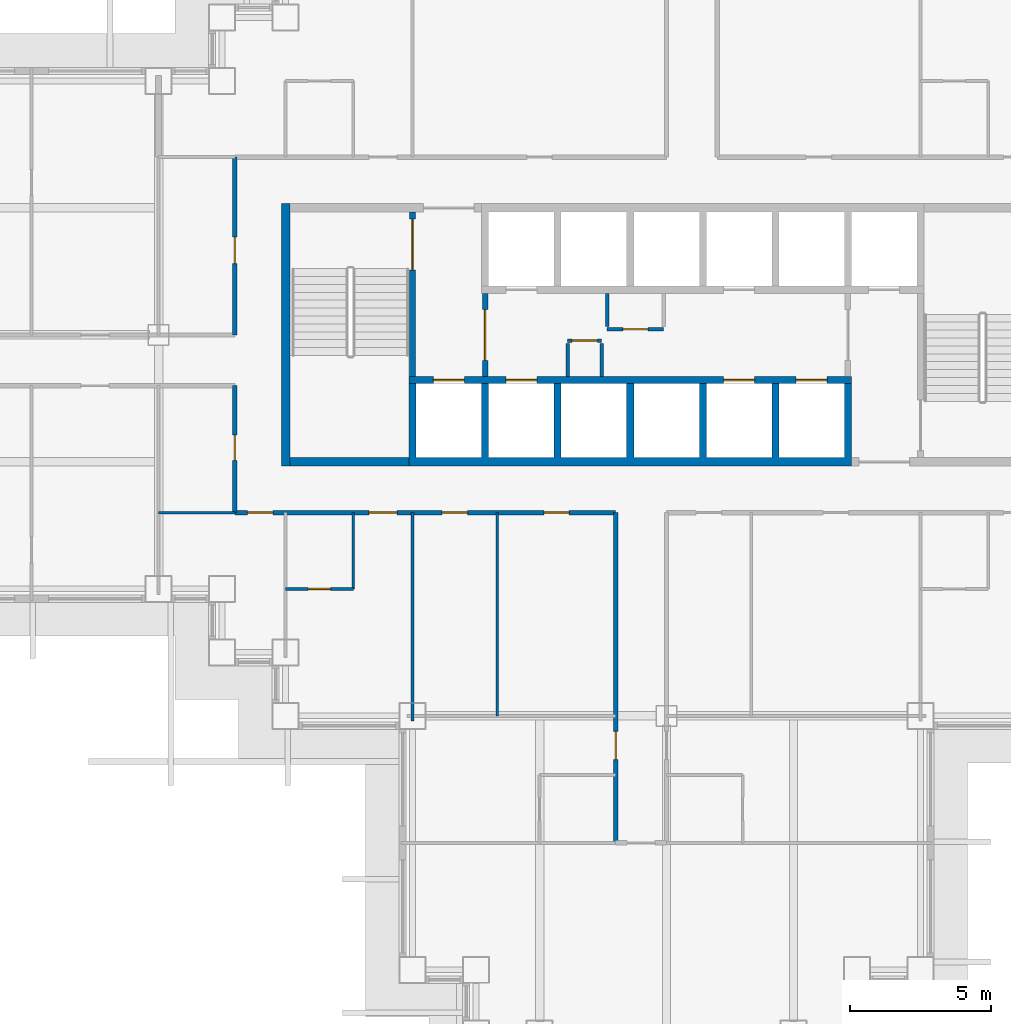
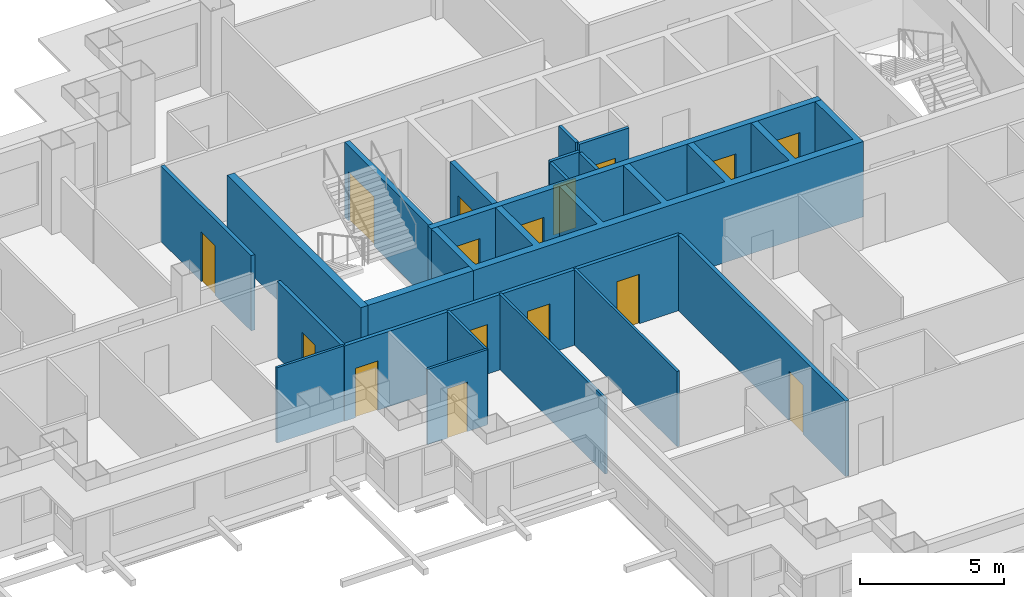
# One storey, part 4 of 15: 20 walls, 16 doors, 16 openings.
"""IFC4 building model written with IfcOpenShell, lengths in metres."""

from ifc_helpers import new_model, si_unit, direction, frame, frame_2d, origin, place, context, subcontext, project, spatial, polyline, rectangle, outline, extrude, material, layer, layer_set, type_object, element, fill, save


model = new_model("IFC4")

# Units and contexts
model_context = context("Model", 3, precision=1e-05, world=origin(), true_north=direction((0.0, 1.0)))
body_context = subcontext(model_context, "Body", "Model", "MODEL_VIEW")
ifc_project = project(units=[si_unit("LENGTHUNIT", "METRE"), si_unit("AREAUNIT", "SQUARE_METRE"), si_unit("VOLUMEUNIT", "CUBIC_METRE"), si_unit("PLANEANGLEUNIT", "RADIAN"), si_unit("MASSUNIT", "GRAM", prefix="KILO")], contexts=[model_context])

# Site, building, storey
site_placement = place(None, origin())
site = spatial("IfcSite", under=ifc_project, at=site_placement, CompositionType="ELEMENT")
building_placement = place(site_placement, origin())
building = spatial("IfcBuilding", under=site, at=building_placement, Name="Caravel Reach Hotel and Residences", CompositionType="ELEMENT")
storey_placement = place(building_placement, frame((0.0, 0.0, 92.39990234375)))
storey = spatial("IfcBuildingStorey", under=building, at=storey_placement, Name="L22", CompositionType="ELEMENT", Elevation=92.39990234375)

# Wall, opening, door
ifc_material_1 = material(Name="Gypsum board on steel stud", Category="steel")
ifc_layer_1 = layer(ifc_material_1, 0.10009765625)
ifc_layer_set_1 = layer_set([ifc_layer_1], Name="Bathroom pod wall 100 mm")
wall_type_1 = type_object("IfcWallType", Name="Bathroom pod wall 100 mm", PredefinedType="PARTITIONING", material=ifc_layer_set_1)
wall_1_placement = place(storey_placement, frame((18.0, 18.0, 0.0), z_axis=(0.0, 0.0, 1.0), x_axis=(1.0, 0.0, 0.0)))
wall_1 = element("IfcWall", 1, at=wall_1_placement, inside=storey, type_object=wall_type_1, Name="L22 wall w073", PredefinedType="PARTITIONING", context=body_context, shape_type="SweptSolid", body=[
    extrude(rectangle(XDim=2.39990234375, YDim=0.10009765625, at=frame_2d((1.199951171875, 0.0))), origin(), (0.0, 0.0, 1.0), 3.2001953125),
])
opening_1_placement = place(wall_1_placement, frame((0.800048828125, 0.0, 0.0)))
opening_1 = element("IfcOpeningElement", 2, at=opening_1_placement, cuts=wall_1, Name="Opening D22-043", PredefinedType="OPENING", context=body_context, shape_type="SweptSolid", body=[
    extrude(rectangle(XDim=0.800048828125, YDim=2.10009765625, at=frame_2d((0.39990234375, 1.050048828125))), frame((0.0, 0.06005859375, 0.0), z_axis=(0.0, -1.0, 0.0), x_axis=(1.0, 0.0, 0.0)), (0.0, 0.0, 1.0), 0.1201171875),
])
ifc_material_2 = material(Name="Timber and steel door leaf", Category="steel")
door_type_1 = type_object("IfcDoorType", Name="Bathroom door 800 x 2100", OperationType="SINGLE_SWING_LEFT", PredefinedType="DOOR", material=ifc_material_2)
door_1_placement = place(opening_1_placement, origin())
door_1 = element("IfcDoor", 3, at=door_1_placement, inside=storey, type_object=door_type_1, Name="door D22-043", OperationType="SINGLE_SWING_LEFT", OverallHeight=2.10009765625, OverallWidth=0.800048828125, PredefinedType="DOOR", context=body_context, shape_type="SweptSolid", body=[
    extrude(rectangle(XDim=0.800048828125, YDim=2.10009765625, at=frame_2d((0.39990234375, 1.050048828125))), frame((0.0, 0.02490234375, 0.0), z_axis=(0.0, -1.0, 0.0), x_axis=(1.0, 0.0, 0.0)), (0.0, 0.0, 1.0), 0.050048828125),
])
fill(opening_1, door_1)

# Walls
wall_2_placement = place(storey_placement, frame((20.39990234375, 18.0, 0.0), z_axis=(0.0, 0.0, 1.0), x_axis=(0.0, 1.0, 0.0)))
element("IfcWall", 4, at=wall_2_placement, inside=storey, type_object=wall_type_1, Name="L22 wall w085", PredefinedType="PARTITIONING", context=body_context, shape_type="SweptSolid", body=[
    extrude(rectangle(XDim=2.699951171875, YDim=0.10009765625, at=frame_2d((1.35009765625, 0.0))), origin(), (0.0, 0.0, 1.0), 3.2001953125),
])
ifc_material_3 = material(Name="Concrete C60", Category="concrete")
ifc_layer_2 = layer(ifc_material_3, 0.300048828125)
ifc_layer_set_2 = layer_set([ifc_layer_2], Name="Core wall 300 mm EI 120")
wall_type_2 = type_object("IfcWallType", Name="Core wall 300 mm EI 120", PredefinedType="SHEAR", material=ifc_layer_set_2)
wall_3_placement = place(storey_placement, frame((18.14990234375, 22.5, 0.0), z_axis=(0.0, 0.0, 1.0), x_axis=(1.0, 0.0, 0.0)))
element("IfcWall", 5, at=wall_3_placement, inside=storey, type_object=wall_type_2, Name="L22 core wall S1", PredefinedType="SHEAR", context=body_context, shape_type="SweptSolid", body=[
    extrude(rectangle(XDim=4.22509765625, YDim=0.300048828125, at=frame_2d((2.112548828125, 0.0))), origin(), (0.0, 0.0, 1.0), 3.2001953125),
])
wall_4_placement = place(storey_placement, frame((18.0, 22.35009765625, 0.0), z_axis=(0.0, 0.0, 1.0), x_axis=(0.0, 1.0, 0.0)))
element("IfcWall", 6, at=wall_4_placement, inside=storey, type_object=wall_type_2, Name="L22 core wall W", PredefinedType="SHEAR", context=body_context, shape_type="SweptSolid", body=[
    extrude(rectangle(XDim=9.2998046875, YDim=0.300048828125, at=frame_2d((4.64990234375, 0.0))), origin(), (0.0, 0.0, 1.0), 3.2001953125),
])

# Wall, openings, doors
ifc_material_4 = material(Name="Gypsum board on steel stud, fire-rated", Category="steel")
ifc_layer_3 = layer(ifc_material_4, 0.14990234375)
ifc_layer_set_3 = layer_set([ifc_layer_3], Name="Corridor wall 150 mm EI 60")
wall_type_3 = type_object("IfcWallType", Name="Corridor wall 150 mm EI 60", PredefinedType="PARTITIONING", material=ifc_layer_set_3)
wall_5_placement = place(storey_placement, frame((16.199951171875, 20.699951171875, 0.0), z_axis=(0.0, 0.0, 1.0), x_axis=(1.0, 0.0, 0.0)))
wall_5 = element("IfcWall", 7, at=wall_5_placement, inside=storey, type_object=wall_type_3, Name="L22 wall w007", PredefinedType="PARTITIONING", context=body_context, shape_type="SweptSolid", body=[
    extrude(rectangle(XDim=13.5, YDim=0.14990234375, at=frame_2d((6.75, 0.0))), origin(), (0.0, 0.0, 1.0), 3.2001953125),
])
opening_2_placement = place(wall_5_placement, frame((4.75, 0.0, 0.0)))
opening_2 = element("IfcOpeningElement", 8, at=opening_2_placement, cuts=wall_5, Name="Opening D22-042", PredefinedType="OPENING", context=body_context, shape_type="SweptSolid", body=[
    extrude(rectangle(XDim=1.0, YDim=2.10009765625, at=frame_2d((0.5, 1.050048828125))), frame((0.0, 0.0849609375, 0.0), z_axis=(0.0, -1.0, 0.0), x_axis=(1.0, 0.0, 0.0)), (0.0, 0.0, 1.0), 0.169921875),
])
opening_3_placement = place(wall_5_placement, frame((0.449951171875, 0.0, 0.0)))
opening_3 = element("IfcOpeningElement", 9, at=opening_3_placement, cuts=wall_5, Name="Opening D22-044", PredefinedType="OPENING", context=body_context, shape_type="SweptSolid", body=[
    extrude(rectangle(XDim=0.89990234375, YDim=2.10009765625, at=frame_2d((0.449951171875, 1.050048828125))), frame((0.0, 0.0849609375, 0.0), z_axis=(0.0, -1.0, 0.0), x_axis=(1.0, 0.0, 0.0)), (0.0, 0.0, 1.0), 0.169921875),
])
opening_4_placement = place(wall_5_placement, frame((7.35009765625, 0.0, 0.0)))
opening_4 = element("IfcOpeningElement", 10, at=opening_4_placement, cuts=wall_5, Name="Opening D22-050", PredefinedType="OPENING", context=body_context, shape_type="SweptSolid", body=[
    extrude(rectangle(XDim=0.89990234375, YDim=2.10009765625, at=frame_2d((0.449951171875, 1.050048828125))), frame((0.0, 0.0849609375, 0.0), z_axis=(0.0, -1.0, 0.0), x_axis=(1.0, 0.0, 0.0)), (0.0, 0.0, 1.0), 0.169921875),
])
opening_5_placement = place(wall_5_placement, frame((10.949951171875, 0.0, 0.0)))
opening_5 = element("IfcOpeningElement", 11, at=opening_5_placement, cuts=wall_5, Name="Opening D22-051", PredefinedType="OPENING", context=body_context, shape_type="SweptSolid", body=[
    extrude(rectangle(XDim=0.89990234375, YDim=2.10009765625, at=frame_2d((0.449951171875, 1.050048828125))), frame((0.0, 0.0849609375, 0.0), z_axis=(0.0, -1.0, 0.0), x_axis=(1.0, 0.0, 0.0)), (0.0, 0.0, 1.0), 0.169921875),
])
ifc_material_5 = material(Name="Timber and steel door leaf", Category="steel")
door_type_2 = type_object("IfcDoorType", Name="Door 900 x 2100 timber", OperationType="SINGLE_SWING_LEFT", PredefinedType="DOOR", material=ifc_material_5)
door_2_placement = place(opening_3_placement, origin())
door_2 = element("IfcDoor", 12, at=door_2_placement, inside=storey, type_object=door_type_2, Name="door D22-044", OperationType="SINGLE_SWING_RIGHT", OverallHeight=2.10009765625, OverallWidth=0.89990234375, PredefinedType="DOOR", context=body_context, shape_type="SweptSolid", body=[
    extrude(rectangle(XDim=0.89990234375, YDim=2.10009765625, at=frame_2d((0.449951171875, 1.050048828125))), frame((0.0, 0.02490234375, 0.0), z_axis=(0.0, -1.0, 0.0), x_axis=(1.0, 0.0, 0.0)), (0.0, 0.0, 1.0), 0.050048828125),
])
fill(opening_3, door_2)
door_3_placement = place(opening_4_placement, origin())
door_3 = element("IfcDoor", 13, at=door_3_placement, inside=storey, type_object=door_type_2, Name="door D22-050", OperationType="SINGLE_SWING_RIGHT", OverallHeight=2.10009765625, OverallWidth=0.89990234375, PredefinedType="DOOR", context=body_context, shape_type="SweptSolid", body=[
    extrude(rectangle(XDim=0.89990234375, YDim=2.10009765625, at=frame_2d((0.449951171875, 1.050048828125))), frame((0.0, 0.02490234375, 0.0), z_axis=(0.0, -1.0, 0.0), x_axis=(1.0, 0.0, 0.0)), (0.0, 0.0, 1.0), 0.050048828125),
])
fill(opening_4, door_3)
door_4_placement = place(opening_5_placement, origin())
door_4 = element("IfcDoor", 14, at=door_4_placement, inside=storey, type_object=door_type_2, Name="door D22-051", OperationType="SINGLE_SWING_RIGHT", OverallHeight=2.10009765625, OverallWidth=0.89990234375, PredefinedType="DOOR", context=body_context, shape_type="SweptSolid", body=[
    extrude(rectangle(XDim=0.89990234375, YDim=2.10009765625, at=frame_2d((0.449951171875, 1.050048828125))), frame((0.0, 0.02490234375, 0.0), z_axis=(0.0, -1.0, 0.0), x_axis=(1.0, 0.0, 0.0)), (0.0, 0.0, 1.0), 0.050048828125),
])
fill(opening_5, door_4)
ifc_material_6 = material(Name="Steel fire door leaf", Category="steel")
door_type_3 = type_object("IfcDoorType", Name="Guest room door 1000 x 2100 EI 30", OperationType="SINGLE_SWING_LEFT", PredefinedType="DOOR", material=ifc_material_6)
door_5_placement = place(opening_2_placement, origin())
door_5 = element("IfcDoor", 15, at=door_5_placement, inside=storey, type_object=door_type_3, Name="door D22-042", OperationType="SINGLE_SWING_RIGHT", OverallHeight=2.10009765625, OverallWidth=1.0, PredefinedType="DOOR", context=body_context, shape_type="SweptSolid", body=[
    extrude(rectangle(XDim=1.0, YDim=2.10009765625, at=frame_2d((0.5, 1.050048828125))), frame((0.0, 0.02490234375, 0.0), z_axis=(0.0, -1.0, 0.0), x_axis=(1.0, 0.0, 0.0)), (0.0, 0.0, 1.0), 0.050048828125),
])
fill(opening_2, door_5)

# Wall, opening, door
wall_6_placement = place(storey_placement, frame((16.199951171875, 27.0, 0.0), z_axis=(0.0, 0.0, 1.0), x_axis=(0.0, 1.0, 0.0)))
wall_6 = element("IfcWall", 16, at=wall_6_placement, inside=storey, type_object=wall_type_3, Name="L22 wall w024", PredefinedType="PARTITIONING", context=body_context, shape_type="SweptSolid", body=[
    extrude(rectangle(XDim=6.300048828125, YDim=0.14990234375, at=frame_2d((3.14990234375, 0.0))), origin(), (0.0, 0.0, 1.0), 3.2001953125),
])
opening_6_placement = place(wall_6_placement, frame((2.52490234375, 0.0, 0.0)))
opening_6 = element("IfcOpeningElement", 17, at=opening_6_placement, cuts=wall_6, Name="Opening D22-055", PredefinedType="OPENING", context=body_context, shape_type="SweptSolid", body=[
    extrude(rectangle(XDim=0.949951171875, YDim=2.10009765625, at=frame_2d((0.47509765625, 1.050048828125))), frame((0.0, 0.0849609375, 0.0), z_axis=(0.0, -1.0, 0.0), x_axis=(1.0, 0.0, 0.0)), (0.0, 0.0, 1.0), 0.169921875),
])
ifc_material_7 = material(Name="Timber and steel door leaf", Category="steel")
door_type_4 = type_object("IfcDoorType", Name="Accessible WC door 950 x 2100", OperationType="SINGLE_SWING_LEFT", PredefinedType="DOOR", material=ifc_material_7)
door_6_placement = place(opening_6_placement, origin())
door_6 = element("IfcDoor", 18, at=door_6_placement, inside=storey, type_object=door_type_4, Name="door D22-055", OperationType="SINGLE_SWING_LEFT", OverallHeight=2.10009765625, OverallWidth=0.949951171875, PredefinedType="DOOR", context=body_context, shape_type="SweptSolid", body=[
    extrude(rectangle(XDim=0.949951171875, YDim=2.10009765625, at=frame_2d((0.47509765625, 1.050048828125))), frame((0.0, 0.02490234375, 0.0), z_axis=(0.0, -1.0, 0.0), x_axis=(1.0, 0.0, 0.0)), (0.0, 0.0, 1.0), 0.050048828125),
])
fill(opening_6, door_6)

wall_7_placement = place(storey_placement, frame((16.199951171875, 20.699951171875, 0.0), z_axis=(0.0, 0.0, 1.0), x_axis=(0.0, 1.0, 0.0)))
wall_7 = element("IfcWall", 19, at=wall_7_placement, inside=storey, type_object=wall_type_3, Name="L22 wall w025", PredefinedType="PARTITIONING", context=body_context, shape_type="SweptSolid", body=[
    extrude(rectangle(XDim=4.5, YDim=0.14990234375, at=frame_2d((2.25, 0.0))), origin(), (0.0, 0.0, 1.0), 3.2001953125),
])
opening_7_placement = place(wall_7_placement, frame((1.85009765625, 0.0, 0.0)))
opening_7 = element("IfcOpeningElement", 20, at=opening_7_placement, cuts=wall_7, Name="Opening D22-054", PredefinedType="OPENING", context=body_context, shape_type="SweptSolid", body=[
    extrude(rectangle(XDim=0.89990234375, YDim=2.10009765625, at=frame_2d((0.449951171875, 1.050048828125))), frame((0.0, 0.0849609375, 0.0), z_axis=(0.0, -1.0, 0.0), x_axis=(1.0, 0.0, 0.0)), (0.0, 0.0, 1.0), 0.169921875),
])
door_7_placement = place(opening_7_placement, origin())
door_7 = element("IfcDoor", 21, at=door_7_placement, inside=storey, type_object=door_type_2, Name="door D22-054", OperationType="SINGLE_SWING_RIGHT", OverallHeight=2.10009765625, OverallWidth=0.89990234375, PredefinedType="DOOR", context=body_context, shape_type="SweptSolid", body=[
    extrude(rectangle(XDim=0.89990234375, YDim=2.10009765625, at=frame_2d((0.449951171875, 1.050048828125))), frame((0.0, 0.02490234375, 0.0), z_axis=(0.0, -1.0, 0.0), x_axis=(1.0, 0.0, 0.0)), (0.0, 0.0, 1.0), 0.050048828125),
])
fill(opening_7, door_7)

wall_8_placement = place(storey_placement, frame((29.699951171875, 9.0, 0.0), z_axis=(0.0, 0.0, 1.0), x_axis=(0.0, 1.0, 0.0)))
wall_8 = element("IfcWall", 22, at=wall_8_placement, inside=storey, type_object=wall_type_3, Name="L22 wall w026", PredefinedType="PARTITIONING", context=body_context, shape_type="SweptSolid", body=[
    extrude(rectangle(XDim=11.699951171875, YDim=0.14990234375, at=frame_2d((5.85009765625, 0.0))), origin(), (0.0, 0.0, 1.0), 3.2001953125),
])
opening_8_placement = place(wall_8_placement, frame((2.949951171875, 0.0, 0.0)))
opening_8 = element("IfcOpeningElement", 23, at=opening_8_placement, cuts=wall_8, Name="Opening D22-030", PredefinedType="OPENING", context=body_context, shape_type="SweptSolid", body=[
    extrude(rectangle(XDim=1.0, YDim=2.10009765625, at=frame_2d((0.5, 1.050048828125))), frame((0.0, 0.0849609375, 0.0), z_axis=(0.0, -1.0, 0.0), x_axis=(1.0, 0.0, 0.0)), (0.0, 0.0, 1.0), 0.169921875),
])
door_8_placement = place(opening_8_placement, origin())
door_8 = element("IfcDoor", 24, at=door_8_placement, inside=storey, type_object=door_type_3, Name="door D22-030", OperationType="SINGLE_SWING_RIGHT", OverallHeight=2.10009765625, OverallWidth=1.0, PredefinedType="DOOR", context=body_context, shape_type="SweptSolid", body=[
    extrude(rectangle(XDim=1.0, YDim=2.10009765625, at=frame_2d((0.5, 1.050048828125))), frame((0.0, 0.02490234375, 0.0), z_axis=(0.0, -1.0, 0.0), x_axis=(1.0, 0.0, 0.0)), (0.0, 0.0, 1.0), 0.050048828125),
])
fill(opening_8, door_8)

ifc_material_8 = material(Name="Autoclaved aerated block wall")
ifc_layer_4 = layer(ifc_material_8, 0.199951171875)
ifc_layer_set_4 = layer_set([ifc_layer_4], Name="Fire lobby wall 200 mm EI 120")
wall_type_4 = type_object("IfcWallType", Name="Fire lobby wall 200 mm EI 120", PredefinedType="PARTITIONING", material=ifc_layer_set_4)
wall_9_placement = place(storey_placement, frame((25.071533203125, 25.52490234375, 0.0), z_axis=(0.0, 0.0, 1.0), x_axis=(0.0, 1.0, 0.0)))
wall_9 = element("IfcWall", 25, at=wall_9_placement, inside=storey, type_object=wall_type_4, Name="L22 lobby W wall", PredefinedType="PARTITIONING", context=body_context, shape_type="SweptSolid", body=[
    extrude(rectangle(XDim=2.9501953125, YDim=0.199951171875, at=frame_2d((1.47509765625, 0.0))), origin(), (0.0, 0.0, 1.0), 3.2001953125),
])
opening_9_placement = place(wall_9_placement, frame((0.574951171875, 0.0, 0.0)))
opening_9 = element("IfcOpeningElement", 26, at=opening_9_placement, cuts=wall_9, Name="Opening D22-012", PredefinedType="OPENING", context=body_context, shape_type="SweptSolid", body=[
    extrude(rectangle(XDim=1.800048828125, YDim=2.10009765625, at=frame_2d((0.89990234375, 1.050048828125))), frame((0.0, 0.10986328125, 0.0), z_axis=(0.0, -1.0, 0.0), x_axis=(1.0, 0.0, 0.0)), (0.0, 0.0, 1.0), 0.219970703125),
])
ifc_material_9 = material(Name="Steel fire door leaf", Category="steel")
door_type_5 = type_object("IfcDoorType", Name="Fire lobby door pair 1800 x 2100 EI 90", OperationType="DOUBLE_DOOR_SINGLE_SWING", PredefinedType="DOOR", material=ifc_material_9)
door_9_placement = place(opening_9_placement, origin())
door_9 = element("IfcDoor", 27, at=door_9_placement, inside=storey, type_object=door_type_5, Name="lobby W door pair", OperationType="DOUBLE_DOOR_SINGLE_SWING", OverallHeight=2.10009765625, OverallWidth=1.800048828125, PredefinedType="DOOR", context=body_context, shape_type="SweptSolid", body=[
    extrude(rectangle(XDim=1.800048828125, YDim=2.10009765625, at=frame_2d((0.89990234375, 1.050048828125))), frame((0.0, 0.02490234375, 0.0), z_axis=(0.0, -1.0, 0.0), x_axis=(1.0, 0.0, 0.0)), (0.0, 0.0, 1.0), 0.050048828125),
])
fill(opening_9, door_9)

# Walls
ifc_material_10 = material(Name="Gypsum board on steel stud", Category="steel")
ifc_layer_5 = layer(ifc_material_10, 0.10009765625)
ifc_layer_set_5 = layer_set([ifc_layer_5], Name="Partition 100 mm")
wall_type_5 = type_object("IfcWallType", Name="Partition 100 mm", PredefinedType="PARTITIONING", material=ifc_layer_set_5)
wall_10_placement = place(storey_placement, frame((13.5, 20.699951171875, 0.0), z_axis=(0.0, 0.0, 1.0), x_axis=(1.0, 0.0, 0.0)))
element("IfcWall", 28, at=wall_10_placement, inside=storey, type_object=wall_type_5, Name="L22 wall w042", PredefinedType="PARTITIONING", context=body_context, shape_type="SweptSolid", body=[
    extrude(rectangle(XDim=2.699951171875, YDim=0.10009765625, at=frame_2d((1.35009765625, 0.0))), origin(), (0.0, 0.0, 1.0), 3.2001953125),
])
wall_11_placement = place(storey_placement, frame((22.5, 13.31005859375, 0.0), z_axis=(0.0, 0.0, 1.0), x_axis=(0.0, 1.0, 0.0)))
element("IfcWall", 29, at=wall_11_placement, inside=storey, type_object=wall_type_5, Name="L22 wall w056", PredefinedType="PARTITIONING", context=body_context, shape_type="SweptSolid", body=[
    extrude(rectangle(XDim=7.389892578125, YDim=0.10009765625, at=frame_2d((3.69482421875, 0.0))), origin(), (0.0, 0.0, 1.0), 3.2001953125),
])
wall_12_placement = place(storey_placement, frame((25.5, 13.5, 0.0), z_axis=(0.0, 0.0, 1.0), x_axis=(0.0, 1.0, 0.0)))
element("IfcWall", 30, at=wall_12_placement, inside=storey, type_object=wall_type_5, Name="L22 wall w057", PredefinedType="PARTITIONING", context=body_context, shape_type="SweptSolid", body=[
    extrude(rectangle(XDim=7.199951171875, YDim=0.10009765625, at=frame_2d((3.60009765625, 0.0))), origin(), (0.0, 0.0, 1.0), 3.2001953125),
])

# Wall, opening, door
ifc_material_11 = material(Name="Autoclaved aerated block wall")
ifc_layer_6 = layer(ifc_material_11, 0.125)
ifc_layer_set_6 = layer_set([ifc_layer_6], Name="Riser wall 125 mm EI 60")
wall_type_6 = type_object("IfcWallType", Name="Riser wall 125 mm EI 60", PredefinedType="PARTITIONING", material=ifc_layer_set_6)
wall_13_placement = place(storey_placement, frame((28.0, 26.800048828125, 0.0), z_axis=(0.0, 0.0, 1.0), x_axis=(1.0, 0.0, 0.0)))
wall_13 = element("IfcWall", 31, at=wall_13_placement, inside=storey, type_object=wall_type_6, Name="L22 service room wall S1", PredefinedType="PARTITIONING", context=body_context, shape_type="SweptSolid", body=[
    extrude(rectangle(XDim=1.199951171875, YDim=0.125, at=frame_2d((0.60009765625, 0.0))), origin(), (0.0, 0.0, 1.0), 3.2001953125),
])
opening_10_placement = place(wall_13_placement, frame((0.14990234375, 0.0, 0.0)))
opening_10 = element("IfcOpeningElement", 32, at=opening_10_placement, cuts=wall_13, Name="Opening D22-008", PredefinedType="OPENING", context=body_context, shape_type="SweptSolid", body=[
    extrude(rectangle(XDim=0.89990234375, YDim=2.10009765625, at=frame_2d((0.449951171875, 1.050048828125))), frame((0.0, 0.072509765625, 0.0), z_axis=(0.0, -1.0, 0.0), x_axis=(1.0, 0.0, 0.0)), (0.0, 0.0, 1.0), 0.14501953125),
])
ifc_material_12 = material(Name="Steel fire door leaf", Category="steel")
door_type_6 = type_object("IfcDoorType", Name="Riser door 900 x 2100 EI 60", OperationType="SINGLE_SWING_LEFT", PredefinedType="DOOR", material=ifc_material_12)
door_10_placement = place(opening_10_placement, origin())
door_10 = element("IfcDoor", 33, at=door_10_placement, inside=storey, type_object=door_type_6, Name="Telecom room door", OperationType="SINGLE_SWING_LEFT", OverallHeight=2.10009765625, OverallWidth=0.89990234375, PredefinedType="DOOR", context=body_context, shape_type="SweptSolid", body=[
    extrude(rectangle(XDim=0.89990234375, YDim=2.10009765625, at=frame_2d((0.449951171875, 1.050048828125))), frame((0.0, 0.02490234375, 0.0), z_axis=(0.0, -1.0, 0.0), x_axis=(1.0, 0.0, 0.0)), (0.0, 0.0, 1.0), 0.050048828125),
])
fill(opening_10, door_10)

# Walls
for number, where, z_axis, x_axis, name in (
    (34, (28.0, 25.52490234375, 0.0), (0.0, 0.0, 1.0), (0.0, 1.0, 0.0), "L22 service room partition S1"),
    (35, (29.199951171875, 25.52490234375, 0.0), (0.0, 0.0, 1.0), (0.0, 1.0, 0.0), "L22 service room partition S1"),
):
    element("IfcWall", number, at=place(storey_placement, frame(where, z_axis=z_axis, x_axis=x_axis)), inside=storey, type_object=wall_type_6, Name=name, PredefinedType="PARTITIONING", context=body_context, shape_type="SweptSolid", body=[
        extrude(rectangle(XDim=1.175048828125, YDim=0.125, at=frame_2d((0.58740234375, 0.0))), origin(), (0.0, 0.0, 1.0), 3.2001953125),
    ])

# Wall, opening, door
wall_14_placement = place(storey_placement, frame((29.39990234375, 27.199951171875, 0.0), z_axis=(0.0, 0.0, 1.0), x_axis=(1.0, 0.0, 0.0)))
wall_14 = element("IfcWall", 36, at=wall_14_placement, inside=storey, type_object=wall_type_6, Name="L22 service room wall N1", PredefinedType="PARTITIONING", context=body_context, shape_type="SweptSolid", body=[
    extrude(rectangle(XDim=2.0, YDim=0.125, at=frame_2d((1.0, 0.0))), origin(), (0.0, 0.0, 1.0), 3.2001953125),
])
opening_11_placement = place(wall_14_placement, frame((0.550048828125, 0.0, 0.0)))
opening_11 = element("IfcOpeningElement", 37, at=opening_11_placement, cuts=wall_14, Name="Opening D22-009", PredefinedType="OPENING", context=body_context, shape_type="SweptSolid", body=[
    extrude(rectangle(XDim=0.89990234375, YDim=2.10009765625, at=frame_2d((0.449951171875, 1.050048828125))), frame((0.0, 0.072509765625, 0.0), z_axis=(0.0, -1.0, 0.0), x_axis=(1.0, 0.0, 0.0)), (0.0, 0.0, 1.0), 0.14501953125),
])
door_11_placement = place(opening_11_placement, origin())
door_11 = element("IfcDoor", 38, at=door_11_placement, inside=storey, type_object=door_type_6, Name="Luggage store door", OperationType="SINGLE_SWING_LEFT", OverallHeight=2.10009765625, OverallWidth=0.89990234375, PredefinedType="DOOR", context=body_context, shape_type="SweptSolid", body=[
    extrude(rectangle(XDim=0.89990234375, YDim=2.10009765625, at=frame_2d((0.449951171875, 1.050048828125))), frame((0.0, 0.02490234375, 0.0), z_axis=(0.0, -1.0, 0.0), x_axis=(1.0, 0.0, 0.0)), (0.0, 0.0, 1.0), 0.050048828125),
])
fill(opening_11, door_11)

# Walls
wall_15_placement = place(storey_placement, frame((29.39990234375, 28.47509765625, 0.0), z_axis=(0.0, 0.0, 1.0), x_axis=(0.0, -1.0, 0.0)))
element("IfcWall", 39, at=wall_15_placement, inside=storey, type_object=wall_type_6, Name="L22 service room partition N1", PredefinedType="PARTITIONING", context=body_context, shape_type="SweptSolid", body=[
    extrude(rectangle(XDim=1.175048828125, YDim=0.125, at=frame_2d((0.58740234375, 0.0))), origin(), (0.0, 0.0, 1.0), 3.2001953125),
])
ifc_material_13 = material(Name="Concrete C60", Category="concrete")
ifc_layer_7 = layer(ifc_material_13, 0.25)
ifc_layer_set_7 = layer_set([ifc_layer_7], Name="Shaft wall 250 mm EI 120")
wall_type_7 = type_object("IfcWallType", Name="Shaft wall 250 mm EI 120", PredefinedType="SHEAR", material=ifc_layer_set_7)
wall_16_placement = place(storey_placement, origin())
element("IfcWall", 40, at=wall_16_placement, inside=storey, type_object=wall_type_7, Name="L22 lift shaft wall S1", PredefinedType="SHEAR", context=body_context, shape_type="SweptSolid", body=[
    extrude(outline(polyline([(22.375, 22.35009765625), (38.053466796875, 22.35009765625), (38.053466796875, 25.27490234375), (37.803466796875, 25.27490234375), (37.803466796875, 22.64990234375), (35.482177734375, 22.64990234375), (35.482177734375, 25.27490234375), (35.232177734375, 25.27490234375), (35.232177734375, 22.64990234375), (32.91064453125, 22.64990234375), (32.91064453125, 25.27490234375), (32.66064453125, 25.27490234375), (32.66064453125, 22.64990234375), (30.33935546875, 22.64990234375), (30.33935546875, 25.27490234375), (30.08935546875, 25.27490234375), (30.08935546875, 22.64990234375), (27.767822265625, 22.64990234375), (27.767822265625, 25.27490234375), (27.517822265625, 25.27490234375), (27.517822265625, 22.64990234375), (25.196533203125, 22.64990234375), (25.196533203125, 25.27490234375), (24.946533203125, 25.27490234375), (24.946533203125, 22.64990234375), (22.625, 22.64990234375), (22.625, 25.27490234375), (22.375, 25.27490234375), (22.375, 22.35009765625)])), origin(), (0.0, 0.0, 1.0), 3.2001953125),
])

# Wall, openings, doors
wall_17_placement = place(storey_placement, frame((22.375, 25.39990234375, 0.0), z_axis=(0.0, 0.0, 1.0), x_axis=(1.0, 0.0, 0.0)))
wall_17 = element("IfcWall", 41, at=wall_17_placement, inside=storey, type_object=wall_type_7, Name="L22 lobby wall S1", PredefinedType="SHEAR", context=body_context, shape_type="SweptSolid", body=[
    extrude(rectangle(XDim=15.678466796875, YDim=0.25, at=frame_2d((7.83935546875, 0.0))), origin(), (0.0, 0.0, 1.0), 3.2001953125),
])
opening_12_placement = place(wall_17_placement, frame((3.43212890625, 0.0, 0.0)))
opening_12 = element("IfcOpeningElement", 42, at=opening_12_placement, cuts=wall_17, Name="Opening D22-001", PredefinedType="OPENING", context=body_context, shape_type="SweptSolid", body=[
    extrude(rectangle(XDim=1.10009765625, YDim=2.10009765625, at=frame_2d((0.550048828125, 1.050048828125))), frame((0.0, 0.135009765625, 0.0), z_axis=(0.0, -1.0, 0.0), x_axis=(1.0, 0.0, 0.0)), (0.0, 0.0, 1.0), 0.27001953125),
])
opening_13_placement = place(wall_17_placement, frame((11.146484375, 0.0, 0.0)))
opening_13 = element("IfcOpeningElement", 43, at=opening_13_placement, cuts=wall_17, Name="Opening D22-002", PredefinedType="OPENING", context=body_context, shape_type="SweptSolid", body=[
    extrude(rectangle(XDim=1.10009765625, YDim=2.10009765625, at=frame_2d((0.550048828125, 1.050048828125))), frame((0.0, 0.135009765625, 0.0), z_axis=(0.0, -1.0, 0.0), x_axis=(1.0, 0.0, 0.0)), (0.0, 0.0, 1.0), 0.27001953125),
])
opening_14_placement = place(wall_17_placement, frame((13.718017578125, 0.0, 0.0)))
opening_14 = element("IfcOpeningElement", 44, at=opening_14_placement, cuts=wall_17, Name="Opening D22-003", PredefinedType="OPENING", context=body_context, shape_type="SweptSolid", body=[
    extrude(rectangle(XDim=1.10009765625, YDim=2.10009765625, at=frame_2d((0.550048828125, 1.050048828125))), frame((0.0, 0.135009765625, 0.0), z_axis=(0.0, -1.0, 0.0), x_axis=(1.0, 0.0, 0.0)), (0.0, 0.0, 1.0), 0.27001953125),
])
opening_15_placement = place(wall_17_placement, frame((0.860595703125, 0.0, 0.0)))
opening_15 = element("IfcOpeningElement", 45, at=opening_15_placement, cuts=wall_17, Name="Opening D22-006", PredefinedType="OPENING", context=body_context, shape_type="SweptSolid", body=[
    extrude(rectangle(XDim=1.10009765625, YDim=2.10009765625, at=frame_2d((0.550048828125, 1.050048828125))), frame((0.0, 0.135009765625, 0.0), z_axis=(0.0, -1.0, 0.0), x_axis=(1.0, 0.0, 0.0)), (0.0, 0.0, 1.0), 0.27001953125),
])
ifc_material_14 = material(Name="Stainless steel landing door", Category="steel")
door_type_7 = type_object("IfcDoorType", Name="Landing door LD 1100 x 2100 sliding", OperationType="DOUBLE_DOOR_SLIDING", PredefinedType="DOOR", material=ifc_material_14)
door_12_placement = place(opening_12_placement, origin())
door_12 = element("IfcDoor", 46, at=door_12_placement, inside=storey, type_object=door_type_7, Name="LP1 landing door", OperationType="DOUBLE_DOOR_SLIDING", OverallHeight=2.10009765625, OverallWidth=1.10009765625, PredefinedType="DOOR", context=body_context, shape_type="SweptSolid", body=[
    extrude(rectangle(XDim=1.10009765625, YDim=2.10009765625, at=frame_2d((0.550048828125, 1.050048828125))), frame((0.0, 0.02490234375, 0.0), z_axis=(0.0, -1.0, 0.0), x_axis=(1.0, 0.0, 0.0)), (0.0, 0.0, 1.0), 0.050048828125),
])
fill(opening_12, door_12)
door_13_placement = place(opening_13_placement, origin())
door_13 = element("IfcDoor", 47, at=door_13_placement, inside=storey, type_object=door_type_7, Name="LP2 landing door", OperationType="DOUBLE_DOOR_SLIDING", OverallHeight=2.10009765625, OverallWidth=1.10009765625, PredefinedType="DOOR", context=body_context, shape_type="SweptSolid", body=[
    extrude(rectangle(XDim=1.10009765625, YDim=2.10009765625, at=frame_2d((0.550048828125, 1.050048828125))), frame((0.0, 0.02490234375, 0.0), z_axis=(0.0, -1.0, 0.0), x_axis=(1.0, 0.0, 0.0)), (0.0, 0.0, 1.0), 0.050048828125),
])
fill(opening_13, door_13)
door_14_placement = place(opening_14_placement, origin())
door_14 = element("IfcDoor", 48, at=door_14_placement, inside=storey, type_object=door_type_7, Name="LP3 landing door", OperationType="DOUBLE_DOOR_SLIDING", OverallHeight=2.10009765625, OverallWidth=1.10009765625, PredefinedType="DOOR", context=body_context, shape_type="SweptSolid", body=[
    extrude(rectangle(XDim=1.10009765625, YDim=2.10009765625, at=frame_2d((0.550048828125, 1.050048828125))), frame((0.0, 0.02490234375, 0.0), z_axis=(0.0, -1.0, 0.0), x_axis=(1.0, 0.0, 0.0)), (0.0, 0.0, 1.0), 0.050048828125),
])
fill(opening_14, door_14)
door_15_placement = place(opening_15_placement, origin())
door_15 = element("IfcDoor", 49, at=door_15_placement, inside=storey, type_object=door_type_7, Name="FL1 landing door", OperationType="DOUBLE_DOOR_SLIDING", OverallHeight=2.10009765625, OverallWidth=1.10009765625, PredefinedType="DOOR", context=body_context, shape_type="SweptSolid", body=[
    extrude(rectangle(XDim=1.10009765625, YDim=2.10009765625, at=frame_2d((0.550048828125, 1.050048828125))), frame((0.0, 0.02490234375, 0.0), z_axis=(0.0, -1.0, 0.0), x_axis=(1.0, 0.0, 0.0)), (0.0, 0.0, 1.0), 0.050048828125),
])
fill(opening_15, door_15)

# Wall, opening, door
ifc_material_15 = material(Name="Concrete C60", Category="concrete")
ifc_layer_8 = layer(ifc_material_15, 0.199951171875)
ifc_layer_set_8 = layer_set([ifc_layer_8], Name="Stair enclosure wall 200 mm EI 120")
wall_type_8 = type_object("IfcWallType", Name="Stair enclosure wall 200 mm EI 120", PredefinedType="SHEAR", material=ifc_layer_set_8)
wall_18_placement = place(storey_placement, frame((22.5, 31.35009765625, 0.0), z_axis=(0.0, 0.0, 1.0), x_axis=(0.0, -1.0, 0.0)))
wall_18 = element("IfcWall", 50, at=wall_18_placement, inside=storey, type_object=wall_type_8, Name="L22 stair A wall", PredefinedType="SHEAR", context=body_context, shape_type="SweptSolid", body=[
    extrude(rectangle(XDim=5.8251953125, YDim=0.199951171875, at=frame_2d((2.91259765625, 0.0))), origin(), (0.0, 0.0, 1.0), 3.2001953125),
])
opening_16_placement = place(wall_18_placement, frame((0.25, 0.0, 0.0)))
opening_16 = element("IfcOpeningElement", 51, at=opening_16_placement, cuts=wall_18, Name="Opening D22-010", PredefinedType="OPENING", context=body_context, shape_type="SweptSolid", body=[
    extrude(rectangle(XDim=1.800048828125, YDim=2.10009765625, at=frame_2d((0.89990234375, 1.050048828125))), frame((0.0, 0.10986328125, 0.0), z_axis=(0.0, -1.0, 0.0), x_axis=(1.0, 0.0, 0.0)), (0.0, 0.0, 1.0), 0.219970703125),
])
ifc_material_16 = material(Name="Steel fire door leaf", Category="steel")
door_type_8 = type_object("IfcDoorType", Name="Stair door pair 1800 x 2100 EI 90", OperationType="DOUBLE_DOOR_SINGLE_SWING", PredefinedType="DOOR", material=ifc_material_16)
door_16_placement = place(opening_16_placement, origin())
door_16 = element("IfcDoor", 52, at=door_16_placement, inside=storey, type_object=door_type_8, Name="stair A door pair", OperationType="DOUBLE_DOOR_SINGLE_SWING", OverallHeight=2.10009765625, OverallWidth=1.800048828125, PredefinedType="DOOR", context=body_context, shape_type="SweptSolid", body=[
    extrude(rectangle(XDim=1.800048828125, YDim=2.10009765625, at=frame_2d((0.89990234375, 1.050048828125))), frame((0.0, 0.02490234375, 0.0), z_axis=(0.0, -1.0, 0.0), x_axis=(1.0, 0.0, 0.0)), (0.0, 0.0, 1.0), 0.050048828125),
])
fill(opening_16, door_16)

save(model, "model.ifc")
